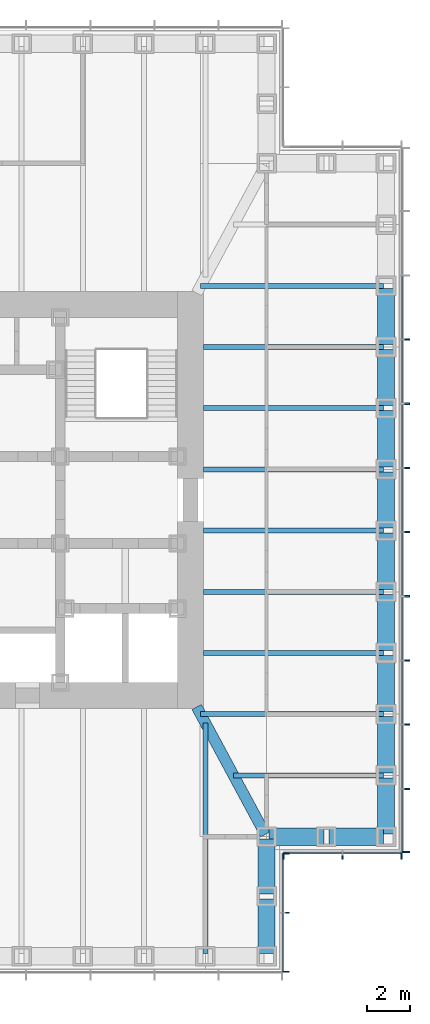
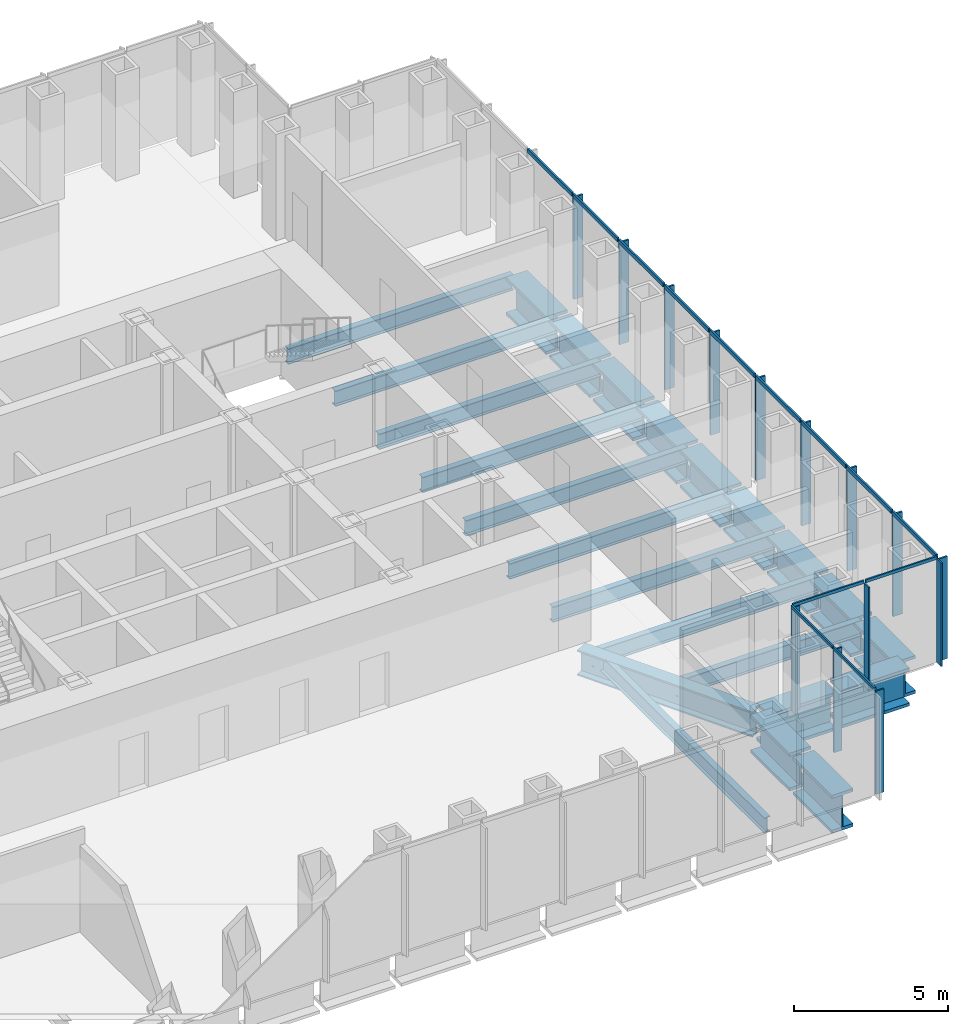
# One storey, part 4 of 16: 28 members, 24 beams, 3 elements without a shape of their own.
"""IFC4 building model written with IfcOpenShell, lengths in metres."""

from ifc_helpers import new_model, si_unit, direction, frame, origin, origin_2d, place, context, subcontext, project, spatial, rectangle, i_section, extrude, material, material_profile, profile_set, type_object, element, aggregate, save


model = new_model("IFC4")

# Units and contexts
model_context = context("Model", 3, precision=1e-05, world=origin(), true_north=direction((0.0, 1.0)))
body_context = subcontext(model_context, "Body", "Model", "MODEL_VIEW")
ifc_project = project(units=[si_unit("LENGTHUNIT", "METRE"), si_unit("AREAUNIT", "SQUARE_METRE"), si_unit("VOLUMEUNIT", "CUBIC_METRE"), si_unit("PLANEANGLEUNIT", "RADIAN"), si_unit("MASSUNIT", "GRAM", prefix="KILO")], contexts=[model_context])

# Site, building, storey
site_placement = place(None, origin())
site = spatial("IfcSite", under=ifc_project, at=site_placement, CompositionType="ELEMENT")
building_placement = place(site_placement, origin())
building = spatial("IfcBuilding", under=site, at=building_placement, Name="Daluyong Arena Tower", CompositionType="ELEMENT")
storey_placement = place(building_placement, frame((0.0, 0.0, 189.699951171875)))
storey = spatial("IfcBuildingStorey", under=building, at=storey_placement, Name="L42", CompositionType="ELEMENT", Elevation=189.699951171875)

# Curtain wall, members
ifc_material_1 = material(Name="Bronze anodised aluminium and glass", Category="aluminium")
curtain_wall_type_1 = type_object("IfcCurtainWallType", Name="Curtain wall CW3", PredefinedType="USERDEFINED", material=ifc_material_1)
curtain_wall_1_placement = place(storey_placement, origin())
curtain_wall_1 = element("IfcCurtainWall", 1, at=curtain_wall_1_placement, inside=storey, type_object=curtain_wall_type_1, Name="curtain wall L42 E", ObjectType="UNITISED CURTAIN WALL", PredefinedType="USERDEFINED")
ifc_material_2 = material(Name="Bronze anodised aluminium fin", Category="aluminium")
ifc_material_profile_1 = material_profile(ifc_material_2, rectangle(XDim=0.35009765625, YDim=0.070068359375, at=origin_2d()))
ifc_profile_set_1 = profile_set([ifc_material_profile_1], Name="Bronze anodised aluminium fin")
member_type_1 = type_object("IfcMemberType", Name="CW3 bronze fin 350x70", PredefinedType="MULLION", material=ifc_profile_set_1)
member_1_placement = place(storey_placement, frame((77.925048828125, 63.784912109375, 0.0), z_axis=(0.0, 0.0, 1.0), x_axis=(-1.0, 0.0, 0.0)))
member_1 = element("IfcMember", 2, at=member_1_placement, type_object=member_type_1, Name="curtain wall L42 E fin 1", PredefinedType="MULLION", context=body_context, shape_type="SweptSolid", body=[
    extrude(rectangle(XDim=0.35009765625, YDim=0.070068359375, at=origin_2d()), origin(), (0.0, 0.0, 1.0), 4.0400390625),
])
member_2_placement = place(storey_placement, frame((77.925048828125, 66.70458984375, 0.0), z_axis=(0.0, 0.0, 1.0), x_axis=(-1.0, 0.0, 0.0)))
member_2 = element("IfcMember", 3, at=member_2_placement, type_object=member_type_1, Name="curtain wall L42 E fin 2", PredefinedType="MULLION", context=body_context, shape_type="SweptSolid", body=[
    extrude(rectangle(XDim=0.35009765625, YDim=0.070068359375, at=origin_2d()), origin(), (0.0, 0.0, 1.0), 4.0400390625),
])
member_3_placement = place(storey_placement, frame((77.925048828125, 69.6591796875, 0.0), z_axis=(0.0, 0.0, 1.0), x_axis=(-1.0, 0.0, 0.0)))
member_3 = element("IfcMember", 4, at=member_3_placement, type_object=member_type_1, Name="curtain wall L42 E fin 3", PredefinedType="MULLION", context=body_context, shape_type="SweptSolid", body=[
    extrude(rectangle(XDim=0.35009765625, YDim=0.070068359375, at=origin_2d()), origin(), (0.0, 0.0, 1.0), 4.0400390625),
])
member_4_placement = place(storey_placement, frame((77.925048828125, 72.613525390625, 0.0), z_axis=(0.0, 0.0, 1.0), x_axis=(-1.0, 0.0, 0.0)))
member_4 = element("IfcMember", 5, at=member_4_placement, type_object=member_type_1, Name="curtain wall L42 E fin 4", PredefinedType="MULLION", context=body_context, shape_type="SweptSolid", body=[
    extrude(rectangle(XDim=0.35009765625, YDim=0.070068359375, at=origin_2d()), origin(), (0.0, 0.0, 1.0), 4.0400390625),
])
member_5_placement = place(storey_placement, frame((77.925048828125, 75.568115234375, 0.0), z_axis=(0.0, 0.0, 1.0), x_axis=(-1.0, 0.0, 0.0)))
member_5 = element("IfcMember", 6, at=member_5_placement, type_object=member_type_1, Name="curtain wall L42 E fin 5", PredefinedType="MULLION", context=body_context, shape_type="SweptSolid", body=[
    extrude(rectangle(XDim=0.35009765625, YDim=0.070068359375, at=origin_2d()), origin(), (0.0, 0.0, 1.0), 4.0400390625),
])
member_6_placement = place(storey_placement, frame((77.925048828125, 78.522705078125, 0.0), z_axis=(0.0, 0.0, 1.0), x_axis=(-1.0, 0.0, 0.0)))
member_6 = element("IfcMember", 7, at=member_6_placement, type_object=member_type_1, Name="curtain wall L42 E fin 6", PredefinedType="MULLION", context=body_context, shape_type="SweptSolid", body=[
    extrude(rectangle(XDim=0.35009765625, YDim=0.070068359375, at=origin_2d()), origin(), (0.0, 0.0, 1.0), 4.0400390625),
])
member_7_placement = place(storey_placement, frame((77.925048828125, 81.477294921875, 0.0), z_axis=(0.0, 0.0, 1.0), x_axis=(-1.0, 0.0, 0.0)))
member_7 = element("IfcMember", 8, at=member_7_placement, type_object=member_type_1, Name="curtain wall L42 E fin 7", PredefinedType="MULLION", context=body_context, shape_type="SweptSolid", body=[
    extrude(rectangle(XDim=0.35009765625, YDim=0.070068359375, at=origin_2d()), origin(), (0.0, 0.0, 1.0), 4.0400390625),
])
member_8_placement = place(storey_placement, frame((77.925048828125, 84.431884765625, 0.0), z_axis=(0.0, 0.0, 1.0), x_axis=(-1.0, 0.0, 0.0)))
member_8 = element("IfcMember", 9, at=member_8_placement, type_object=member_type_1, Name="curtain wall L42 E fin 8", PredefinedType="MULLION", context=body_context, shape_type="SweptSolid", body=[
    extrude(rectangle(XDim=0.35009765625, YDim=0.070068359375, at=origin_2d()), origin(), (0.0, 0.0, 1.0), 4.0400390625),
])
member_9_placement = place(storey_placement, frame((77.925048828125, 87.386474609375, 0.0), z_axis=(0.0, 0.0, 1.0), x_axis=(-1.0, 0.0, 0.0)))
member_9 = element("IfcMember", 10, at=member_9_placement, type_object=member_type_1, Name="curtain wall L42 E fin 9", PredefinedType="MULLION", context=body_context, shape_type="SweptSolid", body=[
    extrude(rectangle(XDim=0.35009765625, YDim=0.070068359375, at=origin_2d()), origin(), (0.0, 0.0, 1.0), 4.0400390625),
])
ifc_material_3 = material(Name="Bronze anodised aluminium", Category="aluminium")
ifc_material_profile_2 = material_profile(ifc_material_3, rectangle(XDim=0.070068359375, YDim=0.159912109375, at=origin_2d()))
ifc_profile_set_2 = profile_set([ifc_material_profile_2], Name="Bronze anodised aluminium")
member_type_2 = type_object("IfcMemberType", Name="CW3 stack transom 160x70", PredefinedType="USERDEFINED", material=ifc_profile_set_2)
member_10_placement = place(storey_placement, frame((77.75, 63.820068359375, 4.1201171875), z_axis=(0.0, 1.0, 0.0), x_axis=(-1.0, 0.0, 0.0)))
member_10 = element("IfcMember", 11, at=member_10_placement, type_object=member_type_2, Name="curtain wall L42 E transom 1", ObjectType="TRANSOM", PredefinedType="USERDEFINED", context=body_context, shape_type="SweptSolid", body=[
    extrude(rectangle(XDim=0.070068359375, YDim=0.159912109375, at=origin_2d()), origin(), (0.0, 0.0, 1.0), 2.849365234375),
])
member_11_placement = place(storey_placement, frame((77.75, 66.739501953125, 4.1201171875), z_axis=(0.0, 1.0, 0.0), x_axis=(-1.0, 0.0, 0.0)))
member_11 = element("IfcMember", 12, at=member_11_placement, type_object=member_type_2, Name="curtain wall L42 E transom 2", ObjectType="TRANSOM", PredefinedType="USERDEFINED", context=body_context, shape_type="SweptSolid", body=[
    extrude(rectangle(XDim=0.070068359375, YDim=0.159912109375, at=origin_2d()), origin(), (0.0, 0.0, 1.0), 2.884521484375),
])
member_12_placement = place(storey_placement, frame((77.75, 69.694091796875, 4.1201171875), z_axis=(0.0, 1.0, 0.0), x_axis=(-1.0, 0.0, 0.0)))
member_12 = element("IfcMember", 13, at=member_12_placement, type_object=member_type_2, Name="curtain wall L42 E transom 3", ObjectType="TRANSOM", PredefinedType="USERDEFINED", context=body_context, shape_type="SweptSolid", body=[
    extrude(rectangle(XDim=0.070068359375, YDim=0.159912109375, at=origin_2d()), origin(), (0.0, 0.0, 1.0), 2.884521484375),
])
member_13_placement = place(storey_placement, frame((77.75, 72.648681640625, 4.1201171875), z_axis=(0.0, 1.0, 0.0), x_axis=(-1.0, 0.0, 0.0)))
member_13 = element("IfcMember", 14, at=member_13_placement, type_object=member_type_2, Name="curtain wall L42 E transom 4", ObjectType="TRANSOM", PredefinedType="USERDEFINED", context=body_context, shape_type="SweptSolid", body=[
    extrude(rectangle(XDim=0.070068359375, YDim=0.159912109375, at=origin_2d()), origin(), (0.0, 0.0, 1.0), 2.884521484375),
])
member_14_placement = place(storey_placement, frame((77.75, 75.603271484375, 4.1201171875), z_axis=(0.0, 1.0, 0.0), x_axis=(-1.0, 0.0, 0.0)))
member_14 = element("IfcMember", 15, at=member_14_placement, type_object=member_type_2, Name="curtain wall L42 E transom 5", ObjectType="TRANSOM", PredefinedType="USERDEFINED", context=body_context, shape_type="SweptSolid", body=[
    extrude(rectangle(XDim=0.070068359375, YDim=0.159912109375, at=origin_2d()), origin(), (0.0, 0.0, 1.0), 2.884521484375),
])
member_15_placement = place(storey_placement, frame((77.75, 78.5576171875, 4.1201171875), z_axis=(0.0, 1.0, 0.0), x_axis=(-1.0, 0.0, 0.0)))
member_15 = element("IfcMember", 16, at=member_15_placement, type_object=member_type_2, Name="curtain wall L42 E transom 6", ObjectType="TRANSOM", PredefinedType="USERDEFINED", context=body_context, shape_type="SweptSolid", body=[
    extrude(rectangle(XDim=0.070068359375, YDim=0.159912109375, at=origin_2d()), origin(), (0.0, 0.0, 1.0), 2.884765625),
])
member_16_placement = place(storey_placement, frame((77.75, 81.51220703125, 4.1201171875), z_axis=(0.0, 1.0, 0.0), x_axis=(-1.0, 0.0, 0.0)))
member_16 = element("IfcMember", 17, at=member_16_placement, type_object=member_type_2, Name="curtain wall L42 E transom 7", ObjectType="TRANSOM", PredefinedType="USERDEFINED", context=body_context, shape_type="SweptSolid", body=[
    extrude(rectangle(XDim=0.070068359375, YDim=0.159912109375, at=origin_2d()), origin(), (0.0, 0.0, 1.0), 2.884521484375),
])
member_17_placement = place(storey_placement, frame((77.75, 84.466796875, 4.1201171875), z_axis=(0.0, 1.0, 0.0), x_axis=(-1.0, 0.0, 0.0)))
member_17 = element("IfcMember", 18, at=member_17_placement, type_object=member_type_2, Name="curtain wall L42 E transom 8", ObjectType="TRANSOM", PredefinedType="USERDEFINED", context=body_context, shape_type="SweptSolid", body=[
    extrude(rectangle(XDim=0.070068359375, YDim=0.159912109375, at=origin_2d()), origin(), (0.0, 0.0, 1.0), 2.884521484375),
])
member_18_placement = place(storey_placement, frame((77.75, 87.42138671875, 4.1201171875), z_axis=(0.0, 1.0, 0.0), x_axis=(-1.0, 0.0, 0.0)))
member_18 = element("IfcMember", 19, at=member_18_placement, type_object=member_type_2, Name="curtain wall L42 E transom 9", ObjectType="TRANSOM", PredefinedType="USERDEFINED", context=body_context, shape_type="SweptSolid", body=[
    extrude(rectangle(XDim=0.070068359375, YDim=0.159912109375, at=origin_2d()), origin(), (0.0, 0.0, 1.0), 2.884521484375),
])
aggregate(curtain_wall_1, [member_1, member_2, member_3, member_4, member_5, member_6, member_7, member_8, member_9, member_10, member_11, member_12, member_13, member_14, member_15, member_16, member_17, member_18])

ifc_material_4 = material(Name="Bronze anodised aluminium and glass", Category="aluminium")
curtain_wall_type_2 = type_object("IfcCurtainWallType", Name="Curtain wall CW7", PredefinedType="USERDEFINED", material=ifc_material_4)
curtain_wall_2_placement = place(storey_placement, origin())
curtain_wall_2 = element("IfcCurtainWall", 20, at=curtain_wall_2_placement, inside=storey, type_object=curtain_wall_type_2, Name="curtain wall L42 SE-E", ObjectType="UNITISED CURTAIN WALL", PredefinedType="USERDEFINED")
ifc_material_5 = material(Name="Bronze anodised aluminium fin", Category="aluminium")
ifc_material_profile_3 = material_profile(ifc_material_5, rectangle(XDim=0.300048828125, YDim=0.06005859375, at=origin_2d()))
ifc_profile_set_3 = profile_set([ifc_material_profile_3], Name="Bronze anodised aluminium fin")
member_type_3 = type_object("IfcMemberType", Name="CW7 bronze fin 300x60", PredefinedType="MULLION", material=ifc_profile_set_3)
member_19_placement = place(storey_placement, frame((72.39990234375, 58.280029296875, 0.0), z_axis=(0.0, 0.0, 1.0), x_axis=(-1.0, 0.0, 0.0)))
member_19 = element("IfcMember", 21, at=member_19_placement, type_object=member_type_3, Name="curtain wall L42 SE-E fin 1", PredefinedType="MULLION", context=body_context, shape_type="SweptSolid", body=[
    extrude(rectangle(XDim=0.300048828125, YDim=0.06005859375, at=origin_2d()), origin(), (0.0, 0.0, 1.0), 4.080078125),
])
member_20_placement = place(storey_placement, frame((72.39990234375, 61.0, 0.0), z_axis=(0.0, 0.0, 1.0), x_axis=(-1.0, 0.0, 0.0)))
member_20 = element("IfcMember", 22, at=member_20_placement, type_object=member_type_3, Name="curtain wall L42 SE-E fin 2", PredefinedType="MULLION", context=body_context, shape_type="SweptSolid", body=[
    extrude(rectangle(XDim=0.300048828125, YDim=0.06005859375, at=origin_2d()), origin(), (0.0, 0.0, 1.0), 4.080078125),
])
member_21_placement = place(storey_placement, frame((72.39990234375, 63.719970703125, 0.0), z_axis=(0.0, 0.0, 1.0), x_axis=(-1.0, 0.0, 0.0)))
member_21 = element("IfcMember", 23, at=member_21_placement, type_object=member_type_3, Name="curtain wall L42 SE-E fin 3", PredefinedType="MULLION", context=body_context, shape_type="SweptSolid", body=[
    extrude(rectangle(XDim=0.300048828125, YDim=0.06005859375, at=origin_2d()), origin(), (0.0, 0.0, 1.0), 4.080078125),
])

curtain_wall_3_placement = place(storey_placement, origin())
curtain_wall_3 = element("IfcCurtainWall", 24, at=curtain_wall_3_placement, inside=storey, type_object=curtain_wall_type_2, Name="curtain wall L42 SE-S", ObjectType="UNITISED CURTAIN WALL", PredefinedType="USERDEFINED")
member_22_placement = place(storey_placement, frame((72.280029296875, 63.60009765625, 0.0), z_axis=(0.0, 0.0, 1.0), x_axis=(0.0, 1.0, 0.0)))
member_22 = element("IfcMember", 25, at=member_22_placement, type_object=member_type_3, Name="curtain wall L42 SE-S fin 1", PredefinedType="MULLION", context=body_context, shape_type="SweptSolid", body=[
    extrude(rectangle(XDim=0.300048828125, YDim=0.06005859375, at=origin_2d()), origin(), (0.0, 0.0, 1.0), 4.080078125),
])
member_23_placement = place(storey_placement, frame((75.0, 63.60009765625, 0.0), z_axis=(0.0, 0.0, 1.0), x_axis=(0.0, 1.0, 0.0)))
member_23 = element("IfcMember", 26, at=member_23_placement, type_object=member_type_3, Name="curtain wall L42 SE-S fin 2", PredefinedType="MULLION", context=body_context, shape_type="SweptSolid", body=[
    extrude(rectangle(XDim=0.300048828125, YDim=0.06005859375, at=origin_2d()), origin(), (0.0, 0.0, 1.0), 4.080078125),
])
member_24_placement = place(storey_placement, frame((77.719970703125, 63.60009765625, 0.0), z_axis=(0.0, 0.0, 1.0), x_axis=(0.0, 1.0, 0.0)))
member_24 = element("IfcMember", 27, at=member_24_placement, type_object=member_type_3, Name="curtain wall L42 SE-S fin 3", PredefinedType="MULLION", context=body_context, shape_type="SweptSolid", body=[
    extrude(rectangle(XDim=0.300048828125, YDim=0.06005859375, at=origin_2d()), origin(), (0.0, 0.0, 1.0), 4.080078125),
])

# Member
ifc_material_6 = material(Name="Bronze anodised aluminium", Category="aluminium")
ifc_material_profile_4 = material_profile(ifc_material_6, rectangle(XDim=0.06005859375, YDim=0.1201171875, at=origin_2d()))
ifc_profile_set_4 = profile_set([ifc_material_profile_4], Name="Bronze anodised aluminium")
member_type_4 = type_object("IfcMemberType", Name="CW7 stack transom 120x60", PredefinedType="USERDEFINED", material=ifc_profile_set_4)
member_25_placement = place(storey_placement, frame((72.25, 58.31005859375, 4.14013671875), z_axis=(0.0, 1.0, 0.0), x_axis=(-1.0, 0.0, 0.0)))
member_25 = element("IfcMember", 28, at=member_25_placement, type_object=member_type_4, Name="curtain wall L42 SE-E transom 1", ObjectType="TRANSOM", PredefinedType="USERDEFINED", context=body_context, shape_type="SweptSolid", body=[
    extrude(rectangle(XDim=0.06005859375, YDim=0.1201171875, at=origin_2d()), origin(), (0.0, 0.0, 1.0), 2.659912109375),
])

member_26_placement = place(storey_placement, frame((72.25, 61.030029296875, 4.14013671875), z_axis=(0.0, 1.0, 0.0), x_axis=(-1.0, 0.0, 0.0)))
member_26 = element("IfcMember", 29, at=member_26_placement, type_object=member_type_4, Name="curtain wall L42 SE-E transom 2", ObjectType="TRANSOM", PredefinedType="USERDEFINED", context=body_context, shape_type="SweptSolid", body=[
    extrude(rectangle(XDim=0.06005859375, YDim=0.1201171875, at=origin_2d()), origin(), (0.0, 0.0, 1.0), 2.659912109375),
])

aggregate(curtain_wall_2, [member_19, member_20, member_21, member_25, member_26])

member_27_placement = place(storey_placement, frame((72.31005859375, 63.75, 4.14013671875), z_axis=(1.0, 0.0, 0.0), x_axis=(0.0, 1.0, 0.0)))
member_27 = element("IfcMember", 30, at=member_27_placement, type_object=member_type_4, Name="curtain wall L42 SE-S transom 1", ObjectType="TRANSOM", PredefinedType="USERDEFINED", context=body_context, shape_type="SweptSolid", body=[
    extrude(rectangle(XDim=0.06005859375, YDim=0.1201171875, at=origin_2d()), origin(), (0.0, 0.0, 1.0), 2.659912109375),
])

member_28_placement = place(storey_placement, frame((75.030029296875, 63.75, 4.14013671875), z_axis=(1.0, 0.0, 0.0), x_axis=(0.0, 1.0, 0.0)))
member_28 = element("IfcMember", 31, at=member_28_placement, type_object=member_type_4, Name="curtain wall L42 SE-S transom 2", ObjectType="TRANSOM", PredefinedType="USERDEFINED", context=body_context, shape_type="SweptSolid", body=[
    extrude(rectangle(XDim=0.06005859375, YDim=0.1201171875, at=origin_2d()), origin(), (0.0, 0.0, 1.0), 2.659912109375),
])

aggregate(curtain_wall_3, [member_22, member_23, member_24, member_27, member_28])

# Beams
ifc_material_7 = material(Name="Steel ASTM A572 Grade 50", Category="steel")
ifc_material_profile_5 = material_profile(ifc_material_7, i_section(OverallWidth=0.5, OverallDepth=1.0, WebThickness=0.03, FlangeThickness=0.06, at=origin_2d()))
ifc_profile_set_5 = profile_set([ifc_material_profile_5], Name="Steel ASTM A572 Grade 50")
beam_type_1 = type_object("IfcBeamType", Name="Corner girder TB1000X500", PredefinedType="BEAM", material=ifc_profile_set_5)
beam_1_placement = place(storey_placement, frame((71.445556640625, 64.601318359375, -0.659912109375), z_axis=(-0.474119475266, 0.880460517669, 0.0), x_axis=(-0.880460517669, -0.474119475266, 0.0)))
element("IfcBeam", 32, at=beam_1_placement, inside=storey, type_object=beam_type_1, Name="corner girder DG2", PredefinedType="BEAM", context=body_context, shape_type="SweptSolid", body=[
    extrude(i_section(OverallWidth=0.5, OverallDepth=1.0, WebThickness=0.03, FlangeThickness=0.06, at=origin_2d()), origin(), (0.0, 0.0, 1.0), 6.66748046875),
])
ifc_material_8 = material(Name="Steel ASTM A992 Grade 50", Category="steel")
ifc_material_profile_6 = material_profile(ifc_material_8, i_section(OverallWidth=0.22900390625, OverallDepth=0.612060546875, WebThickness=0.011962890625, FlangeThickness=0.01953125, at=origin_2d()))
ifc_profile_set_6 = profile_set([ifc_material_profile_6], Name="Steel ASTM A992 Grade 50")
beam_type_2 = type_object("IfcBeamType", Name="Floor beam W24X84", PredefinedType="BEAM", material=ifc_profile_set_6)
beam_2_placement = place(storey_placement, frame((68.681884765625, 59.114990234375, -0.466064453125), z_axis=(0.0, 1.0, 0.0), x_axis=(-1.0, 0.0, 0.0)))
element("IfcBeam", 33, at=beam_2_placement, inside=storey, type_object=beam_type_2, Name="floor beam FB3", PredefinedType="BEAM", context=body_context, shape_type="SweptSolid", body=[
    extrude(i_section(OverallWidth=0.22900390625, OverallDepth=0.612060546875, WebThickness=0.011962890625, FlangeThickness=0.01953125, at=origin_2d()), origin(), (0.0, 0.0, 1.0), 10.618896484375),
])
beam_3_placement = place(storey_placement, frame((76.885009765625, 67.318115234375, -0.466064453125), z_axis=(-1.0, 0.0, 0.0), x_axis=(0.0, -1.0, 0.0)))
element("IfcBeam", 34, at=beam_3_placement, inside=storey, type_object=beam_type_2, Name="floor beam FB3", PredefinedType="BEAM", context=body_context, shape_type="SweptSolid", body=[
    extrude(i_section(OverallWidth=0.22900390625, OverallDepth=0.612060546875, WebThickness=0.011962890625, FlangeThickness=0.01953125, at=origin_2d()), origin(), (0.0, 0.0, 1.0), 6.902587890625),
])
beam_4_placement = place(storey_placement, frame((76.885009765625, 70.136474609375, -0.466064453125), z_axis=(-1.0, 0.0, 0.0), x_axis=(0.0, -1.0, 0.0)))
element("IfcBeam", 35, at=beam_4_placement, inside=storey, type_object=beam_type_2, Name="floor beam FB3", PredefinedType="BEAM", context=body_context, shape_type="SweptSolid", body=[
    extrude(i_section(OverallWidth=0.22900390625, OverallDepth=0.612060546875, WebThickness=0.011962890625, FlangeThickness=0.01953125, at=origin_2d()), origin(), (0.0, 0.0, 1.0), 8.419921875),
])
for number, where, z_axis, x_axis, name in (
    (36, (76.885009765625, 72.95458984375, -0.466064453125), (-1.0, 0.0, 0.0), (0.0, -1.0, 0.0), "floor beam FB3"),
    (37, (76.885009765625, 75.772705078125, -0.466064453125), (-1.0, 0.0, 0.0), (0.0, -1.0, 0.0), "floor beam FB3"),
    (38, (76.885009765625, 78.5908203125, -0.466064453125), (-1.0, 0.0, 0.0), (0.0, -1.0, 0.0), "floor beam FB3"),
    (39, (76.885009765625, 81.4091796875, -0.466064453125), (-1.0, 0.0, 0.0), (0.0, -1.0, 0.0), "floor beam FB3"),
    (40, (76.885009765625, 84.227294921875, -0.466064453125), (-1.0, 0.0, 0.0), (0.0, -1.0, 0.0), "floor beam FB3"),
    (41, (76.885009765625, 87.04541015625, -0.466064453125), (-1.0, 0.0, 0.0), (0.0, -1.0, 0.0), "floor beam FB3"),
):
    element("IfcBeam", number, at=place(storey_placement, frame(where, z_axis=z_axis, x_axis=x_axis)), inside=storey, type_object=beam_type_2, Name=name, PredefinedType="BEAM", context=body_context, shape_type="SweptSolid", body=[
        extrude(i_section(OverallWidth=0.22900390625, OverallDepth=0.612060546875, WebThickness=0.011962890625, FlangeThickness=0.01953125, at=origin_2d()), origin(), (0.0, 0.0, 1.0), 8.284912109375),
    ])
beam_5_placement = place(storey_placement, frame((76.885009765625, 89.863525390625, -0.466064453125), z_axis=(-1.0, 0.0, 0.0), x_axis=(0.0, -1.0, 0.0)))
element("IfcBeam", 42, at=beam_5_placement, inside=storey, type_object=beam_type_2, Name="floor beam FB3", PredefinedType="BEAM", context=body_context, shape_type="SweptSolid", body=[
    extrude(i_section(OverallWidth=0.22900390625, OverallDepth=0.612060546875, WebThickness=0.011962890625, FlangeThickness=0.01953125, at=origin_2d()), origin(), (0.0, 0.0, 1.0), 8.419921875),
])
ifc_material_9 = material(Name="Steel ASTM A588 Grade 50", Category="steel")
ifc_material_profile_7 = material_profile(ifc_material_9, i_section(OverallWidth=0.800048828125, OverallDepth=1.5, WebThickness=0.05, FlangeThickness=0.12, at=origin_2d()))
ifc_profile_set_7 = profile_set([ifc_material_profile_7], Name="Steel ASTM A588 Grade 50")
beam_type_3 = type_object("IfcBeamType", Name="Spandrel Z3 PG1500X800", PredefinedType="SPANDREL", material=ifc_profile_set_7)
for number, where, z_axis, x_axis, name in (
    (43, (71.5, 59.114990234375, -0.909912109375), (0.0, 1.0, 0.0), (-1.0, 0.0, 0.0), "spandrel z3 SB7"),
    (44, (71.5, 61.864990234375, -0.909912109375), (0.0, 1.0, 0.0), (-1.0, 0.0, 0.0), "spandrel z3 SB7"),
    (45, (71.614990234375, 64.5, -0.909912109375), (1.0, 0.0, 0.0), (0.0, 1.0, 0.0), "spandrel z3 SB7"),
    (46, (74.364990234375, 64.5, -0.909912109375), (1.0, 0.0, 0.0), (0.0, 1.0, 0.0), "spandrel z3 SB7"),
):
    element("IfcBeam", number, at=place(storey_placement, frame(where, z_axis=z_axis, x_axis=x_axis)), inside=storey, type_object=beam_type_3, Name=name, PredefinedType="SPANDREL", context=body_context, shape_type="SweptSolid", body=[
        extrude(i_section(OverallWidth=0.800048828125, OverallDepth=1.5, WebThickness=0.05, FlangeThickness=0.12, at=origin_2d()), origin(), (0.0, 0.0, 1.0), 2.52001953125),
    ])
beam_6_placement = place(storey_placement, frame((77.0, 64.614990234375, -0.909912109375), z_axis=(0.0, 1.0, 0.0), x_axis=(-1.0, 0.0, 0.0)))
element("IfcBeam", 47, at=beam_6_placement, inside=storey, type_object=beam_type_3, Name="spandrel z3 SB7", PredefinedType="SPANDREL", context=body_context, shape_type="SweptSolid", body=[
    extrude(i_section(OverallWidth=0.800048828125, OverallDepth=1.5, WebThickness=0.05, FlangeThickness=0.12, at=origin_2d()), origin(), (0.0, 0.0, 1.0), 2.588134765625),
])
beam_7_placement = place(storey_placement, frame((77.0, 67.43310546875, -0.909912109375), z_axis=(0.0, 1.0, 0.0), x_axis=(-1.0, 0.0, 0.0)))
element("IfcBeam", 48, at=beam_7_placement, inside=storey, type_object=beam_type_3, Name="spandrel z3 SB7", PredefinedType="SPANDREL", context=body_context, shape_type="SweptSolid", body=[
    extrude(i_section(OverallWidth=0.800048828125, OverallDepth=1.5, WebThickness=0.05, FlangeThickness=0.12, at=origin_2d()), origin(), (0.0, 0.0, 1.0), 2.58837890625),
])
for number, where, z_axis, x_axis, name in (
    (49, (77.0, 70.25146484375, -0.909912109375), (0.0, 1.0, 0.0), (-1.0, 0.0, 0.0), "spandrel z3 SB7"),
    (50, (77.0, 73.069580078125, -0.909912109375), (0.0, 1.0, 0.0), (-1.0, 0.0, 0.0), "spandrel z3 SB7"),
    (51, (77.0, 75.8876953125, -0.909912109375), (0.0, 1.0, 0.0), (-1.0, 0.0, 0.0), "spandrel z3 SB7"),
):
    element("IfcBeam", number, at=place(storey_placement, frame(where, z_axis=z_axis, x_axis=x_axis)), inside=storey, type_object=beam_type_3, Name=name, PredefinedType="SPANDREL", context=body_context, shape_type="SweptSolid", body=[
        extrude(i_section(OverallWidth=0.800048828125, OverallDepth=1.5, WebThickness=0.05, FlangeThickness=0.12, at=origin_2d()), origin(), (0.0, 0.0, 1.0), 2.588134765625),
    ])
beam_8_placement = place(storey_placement, frame((77.0, 78.705810546875, -0.909912109375), z_axis=(0.0, 1.0, 0.0), x_axis=(-1.0, 0.0, 0.0)))
element("IfcBeam", 52, at=beam_8_placement, inside=storey, type_object=beam_type_3, Name="spandrel z3 SB7", PredefinedType="SPANDREL", context=body_context, shape_type="SweptSolid", body=[
    extrude(i_section(OverallWidth=0.800048828125, OverallDepth=1.5, WebThickness=0.05, FlangeThickness=0.12, at=origin_2d()), origin(), (0.0, 0.0, 1.0), 2.58837890625),
])
for number, where, z_axis, x_axis, name in (
    (53, (77.0, 81.524169921875, -0.909912109375), (0.0, 1.0, 0.0), (-1.0, 0.0, 0.0), "spandrel z3 SB7"),
    (54, (77.0, 84.34228515625, -0.909912109375), (0.0, 1.0, 0.0), (-1.0, 0.0, 0.0), "spandrel z3 SB7"),
    (55, (77.0, 87.160400390625, -0.909912109375), (0.0, 1.0, 0.0), (-1.0, 0.0, 0.0), "spandrel z3 SB7"),
):
    element("IfcBeam", number, at=place(storey_placement, frame(where, z_axis=z_axis, x_axis=x_axis)), inside=storey, type_object=beam_type_3, Name=name, PredefinedType="SPANDREL", context=body_context, shape_type="SweptSolid", body=[
        extrude(i_section(OverallWidth=0.800048828125, OverallDepth=1.5, WebThickness=0.05, FlangeThickness=0.12, at=origin_2d()), origin(), (0.0, 0.0, 1.0), 2.588134765625),
    ])

save(model, "model.ifc")
